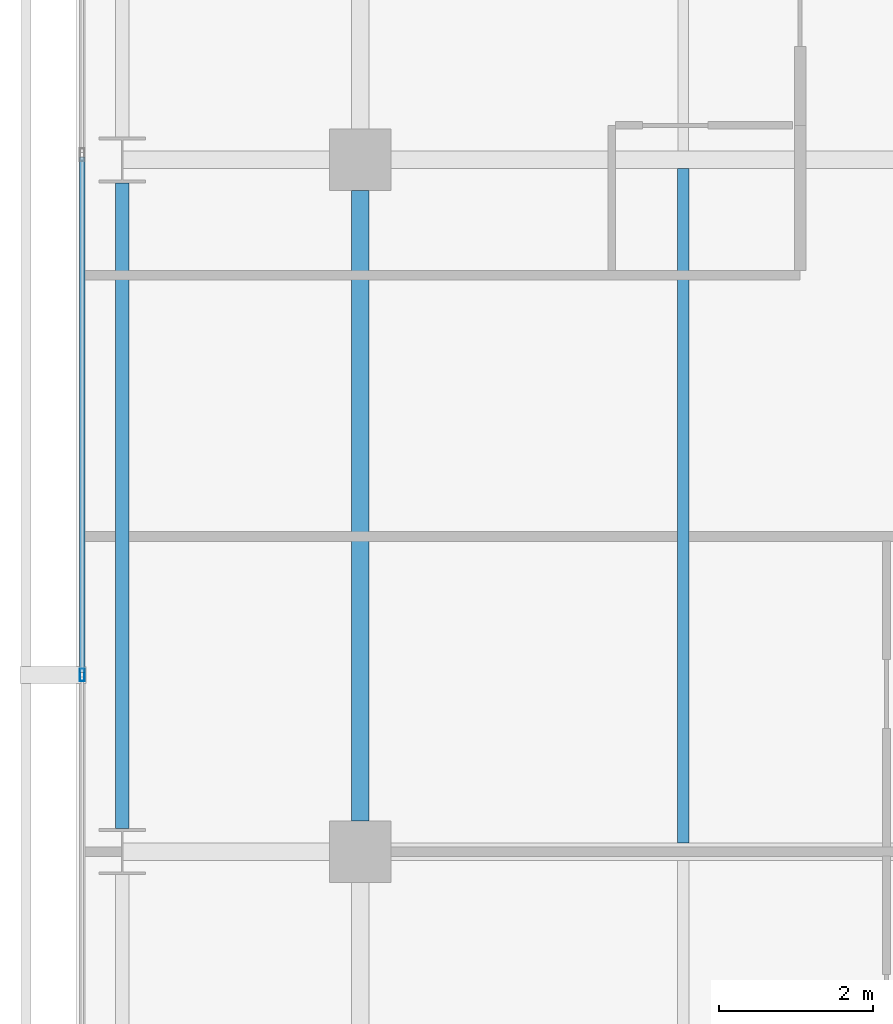
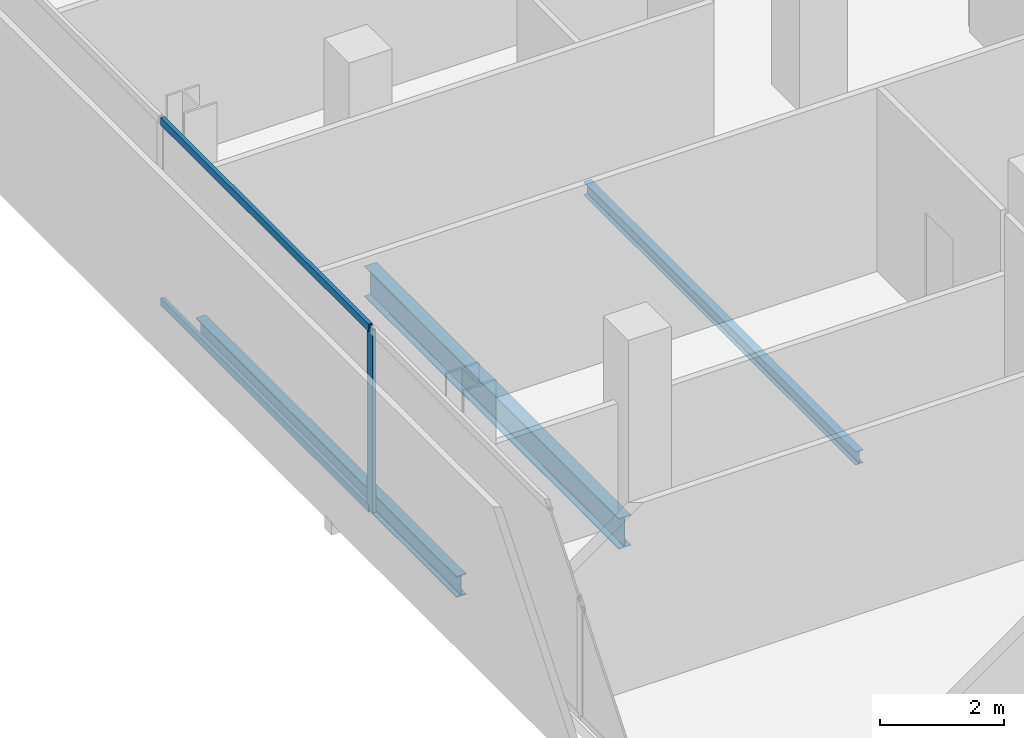
# One storey, part 10 of 34: 3 beams, 3 members, 1 element without a shape of its own.
"""IFC4 building model written with IfcOpenShell, lengths in metres."""

from ifc_helpers import new_model, si_unit, direction, frame, origin, origin_2d, place, context, subcontext, project, spatial, hollow_rectangle, i_section, extrude, material, layer, layer_set, material_profile, profile_set, type_object, element, aggregate, save


model = new_model("IFC4")

# Units and contexts
model_context = context("Model", 3, precision=1e-05, world=origin(), true_north=direction((0.0, 1.0)))
body_context = subcontext(model_context, "Body", "Model", "MODEL_VIEW")
ifc_project = project(units=[si_unit("LENGTHUNIT", "METRE"), si_unit("AREAUNIT", "SQUARE_METRE"), si_unit("VOLUMEUNIT", "CUBIC_METRE"), si_unit("PLANEANGLEUNIT", "RADIAN"), si_unit("MASSUNIT", "GRAM", prefix="KILO")], contexts=[model_context])

# Site, building, storey
site_placement = place(None, origin())
site = spatial("IfcSite", under=ifc_project, at=site_placement, CompositionType="ELEMENT")
building_placement = place(site_placement, origin())
building = spatial("IfcBuilding", under=site, at=building_placement, Name="Maruvema Waterfront Hotel and Observation Tower", CompositionType="ELEMENT")
storey_placement = place(building_placement, frame((0.0, 0.0, 181.300048828125)))
storey = spatial("IfcBuildingStorey", under=building, at=storey_placement, Name="L44", CompositionType="ELEMENT", Elevation=181.300048828125)

# Curtain wall, members
ifc_material_1 = material(Name="Anodised bronze aluminium and solar-control low-E IGU", Category="aluminium")
ifc_layer = layer(ifc_material_1, 0.159912109375, Name="Zone 2 Amber Inner Thermal Curtain Wall System CW-03")
ifc_layer_set = layer_set([ifc_layer], Name="Anodised bronze aluminium and solar-control low-E IGU")
curtain_wall_type = type_object("IfcCurtainWallType", Name="Zone 2 Amber Inner Thermal Curtain Wall System CW-03", PredefinedType="USERDEFINED", material=ifc_layer_set)
curtain_wall_placement = place(storey_placement, origin())
curtain_wall = element("IfcCurtainWall", 1, at=curtain_wall_placement, inside=storey, type_object=curtain_wall_type, Name="L44 Curtain Wall CW-L44-W", ObjectType="UNITISED CURTAIN WALL", PredefinedType="USERDEFINED")
ifc_material_2 = material(Name="Anodised architectural bronze aluminium", Category="aluminium")
ifc_material_profile_1 = material_profile(ifc_material_2, hollow_rectangle(XDim=0.070068359375, YDim=0.14990234375, WallThickness=0.00390625, at=origin_2d()), Name="ALU-T70x150")
ifc_profile_set_1 = profile_set([ifc_material_profile_1], Name="Anodised architectural bronze aluminium")
member_type_1 = type_object("IfcMemberType", Name="Curtain Wall Horizontal Transom ALU-T70x150", PredefinedType="USERDEFINED", material=ifc_profile_set_1)
member_1_placement = place(storey_placement, frame((13.179931640625, 36.03662109375, 0.030029296875), z_axis=(0.0, -1.0, 0.0), x_axis=(1.0, 0.0, 0.0)))
member_1 = element("IfcMember", 2, at=member_1_placement, type_object=member_type_1, Name="CW-03 transom 3.1", ObjectType="TRANSOM", PredefinedType="USERDEFINED", context=body_context, shape_type="SweptSolid", body=[
    extrude(hollow_rectangle(XDim=0.070068359375, YDim=0.14990234375, WallThickness=0.00390625, at=origin_2d()), origin(), (0.0, 0.0, 1.0), 6.70654296875),
])
member_2_placement = place(storey_placement, frame((13.179931640625, 36.03662109375, 3.579833984375), z_axis=(0.0, -1.0, 0.0), x_axis=(1.0, 0.0, 0.0)))
member_2 = element("IfcMember", 3, at=member_2_placement, type_object=member_type_1, Name="CW-03 transom 3.2", ObjectType="TRANSOM", PredefinedType="USERDEFINED", context=body_context, shape_type="SweptSolid", body=[
    extrude(hollow_rectangle(XDim=0.070068359375, YDim=0.14990234375, WallThickness=0.00390625, at=origin_2d()), origin(), (0.0, 0.0, 1.0), 6.70654296875),
])
ifc_material_3 = material(Name="Anodised architectural bronze aluminium", Category="aluminium")
ifc_material_profile_2 = material_profile(ifc_material_3, hollow_rectangle(XDim=0.06494140625, YDim=0.1650390625, WallThickness=0.00390625, at=origin_2d()), Name="ALU-M65x165")
ifc_profile_set_2 = profile_set([ifc_material_profile_2], Name="Anodised architectural bronze aluminium")
member_type_2 = type_object("IfcMemberType", Name="Curtain Wall Primary Mullion ALU-M65x165", PredefinedType="MULLION", material=ifc_profile_set_2)
member_3_placement = place(storey_placement, frame((13.179931640625, 29.300048828125, 0.0), z_axis=(0.0, 0.0, 1.0), x_axis=(1.0, 0.0, 0.0)))
member_3 = element("IfcMember", 4, at=member_3_placement, type_object=member_type_2, Name="CW-03 mullion 4", PredefinedType="MULLION", context=body_context, shape_type="SweptSolid", body=[
    extrude(hollow_rectangle(XDim=0.06494140625, YDim=0.1650390625, WallThickness=0.00390625, at=origin_2d()), origin(), (0.0, 0.0, 1.0), 3.60986328125),
])
aggregate(curtain_wall, [member_3, member_1, member_2])

# Beams
ifc_material_4 = material(Name="Steel ASTM A572 Grade 50", Category="steel")
ifc_material_profile_3 = material_profile(ifc_material_4, i_section(OverallWidth=0.180908203125, OverallDepth=0.4169921875, WebThickness=0.010986328125, FlangeThickness=0.018310546875, FilletRadius=0.014892578125, at=origin_2d()), Name="W410x85.0")
ifc_profile_set_3 = profile_set([ifc_material_profile_3], Name="Steel ASTM A572 Grade 50")
beam_type_1 = type_object("IfcBeamType", Name="Perimeter Spandrel Beam W410x85.0", PredefinedType="SPANDREL", material=ifc_profile_set_3)
beam_1_placement = place(storey_placement, frame((13.699951171875, 27.300048828125, -0.448486328125), z_axis=(0.0, 1.0, 0.0), x_axis=(-1.0, 0.0, 0.0)))
element("IfcBeam", 5, at=beam_1_placement, inside=storey, type_object=beam_type_1, Name="L44 Floor Girder NS-03", PredefinedType="SPANDREL", context=body_context, shape_type="SweptSolid", body=[
    extrude(i_section(OverallWidth=0.180908203125, OverallDepth=0.4169921875, WebThickness=0.010986328125, FlangeThickness=0.018310546875, FilletRadius=0.014892578125, at=origin_2d()), origin(), (0.0, 0.0, 1.0), 8.39990234375),
])
ifc_material_5 = material(Name="Steel ASTM A572 Grade 50", Category="steel")
ifc_material_profile_4 = material_profile(ifc_material_5, i_section(OverallWidth=0.22802734375, OverallDepth=0.60302734375, WebThickness=0.010498046875, FlangeThickness=0.014892578125, FilletRadius=0.01806640625, at=origin_2d()), Name="W610x101.0")
ifc_profile_set_4 = profile_set([ifc_material_profile_4], Name="Steel ASTM A572 Grade 50")
beam_type_2 = type_object("IfcBeamType", Name="Primary Floor Girder W610x101.0", PredefinedType="BEAM", material=ifc_profile_set_4)
beam_2_placement = place(storey_placement, frame((16.800048828125, 27.39990234375, -0.54150390625), z_axis=(0.0, 1.0, 0.0), x_axis=(-1.0, 0.0, 0.0)))
element("IfcBeam", 6, at=beam_2_placement, inside=storey, type_object=beam_type_2, Name="L44 Floor Girder NS-07", PredefinedType="BEAM", context=body_context, shape_type="SweptSolid", body=[
    extrude(i_section(OverallWidth=0.22802734375, OverallDepth=0.60302734375, WebThickness=0.010498046875, FlangeThickness=0.014892578125, FilletRadius=0.01806640625, at=origin_2d()), origin(), (0.0, 0.0, 1.0), 8.2001953125),
])
ifc_material_6 = material(Name="Steel ASTM A572 Grade 50", Category="steel")
ifc_material_profile_5 = material_profile(ifc_material_6, i_section(OverallWidth=0.14599609375, OverallDepth=0.258056640625, WebThickness=0.006103515625, FlangeThickness=0.009033203125, FilletRadius=0.012939453125, at=origin_2d()), Name="W250x32.7")
ifc_profile_set_5 = profile_set([ifc_material_profile_5], Name="Steel ASTM A572 Grade 50")
beam_type_3 = type_object("IfcBeamType", Name="Secondary Floor Joist W250x32.7", PredefinedType="JOIST", material=ifc_profile_set_5)
beam_3_placement = place(storey_placement, frame((21.0, 27.114013671875, -0.369140625), z_axis=(0.0, 1.0, 0.0), x_axis=(-1.0, 0.0, 0.0)))
element("IfcBeam", 7, at=beam_3_placement, inside=storey, type_object=beam_type_3, Name="L44 Secondary Floor Joist JS-03", PredefinedType="JOIST", context=body_context, shape_type="SweptSolid", body=[
    extrude(i_section(OverallWidth=0.14599609375, OverallDepth=0.258056640625, WebThickness=0.006103515625, FlangeThickness=0.009033203125, FilletRadius=0.012939453125, at=origin_2d()), origin(), (0.0, 0.0, 1.0), 8.77197265625),
])

save(model, "model.ifc")
